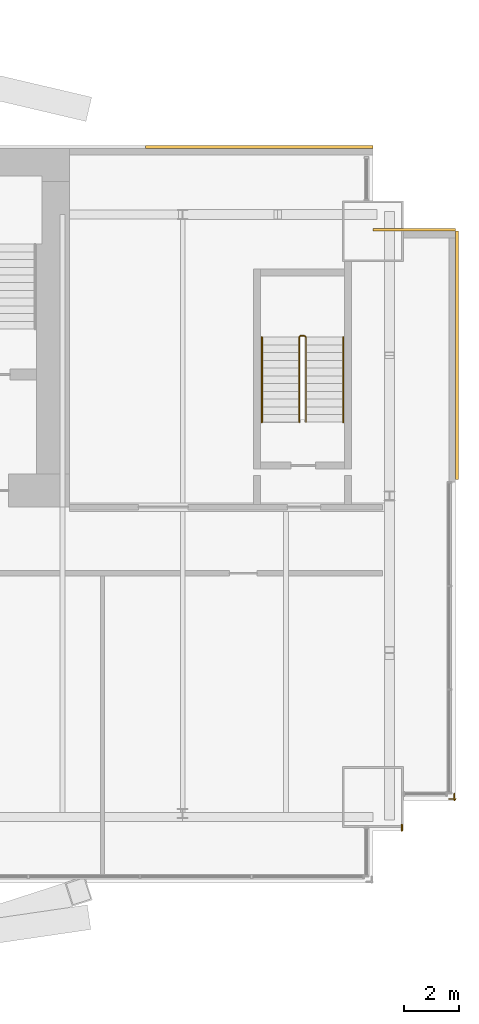
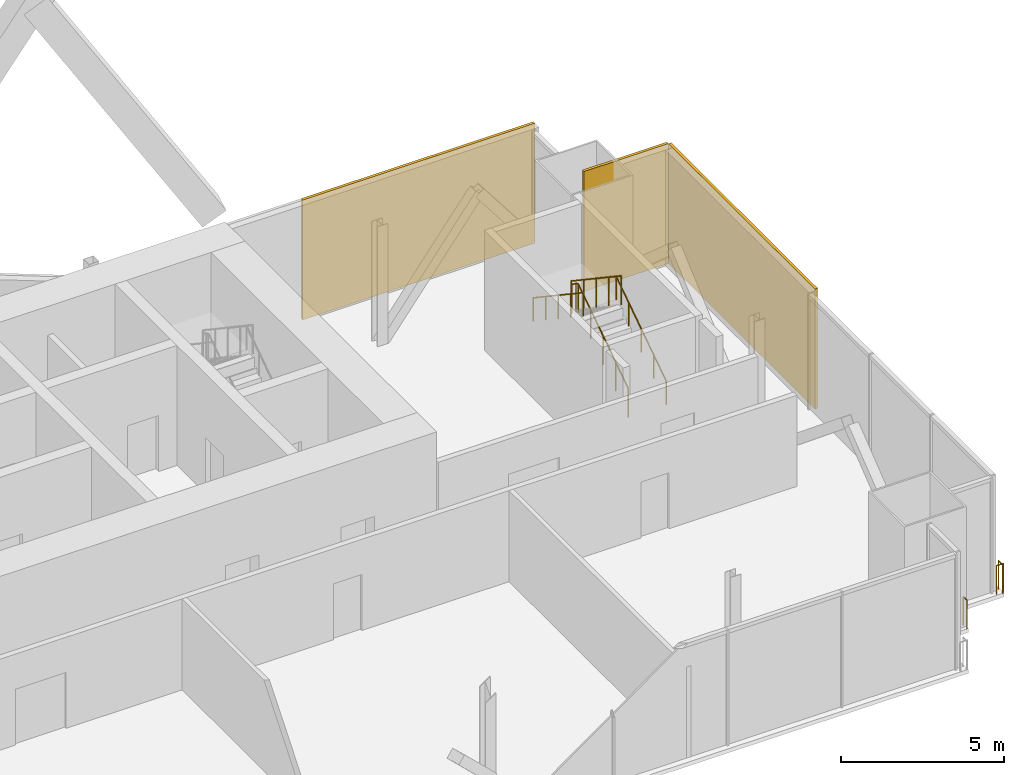
# One storey, part 20 of 20: 5 railings, 3 coverings.
"""IFC4 building model written with IfcOpenShell, lengths in metres."""

from ifc_helpers import new_model, si_unit, direction, frame, origin, origin_2d, place, context, subcontext, project, spatial, rectangle, circle, extrude, material, layer, layer_set, type_object, element, save


model = new_model("IFC4")

# Units and contexts
model_context = context("Model", 3, precision=1e-05, world=origin(), true_north=direction((0.0, 1.0)))
body_context = subcontext(model_context, "Body", "Model", "MODEL_VIEW")
ifc_project = project(units=[si_unit("LENGTHUNIT", "METRE"), si_unit("AREAUNIT", "SQUARE_METRE"), si_unit("VOLUMEUNIT", "CUBIC_METRE"), si_unit("PLANEANGLEUNIT", "RADIAN"), si_unit("MASSUNIT", "GRAM", prefix="KILO")], contexts=[model_context])

# Site, building, storey
site_placement = place(None, origin())
site = spatial("IfcSite", under=ifc_project, at=site_placement, CompositionType="ELEMENT")
building_placement = place(site_placement, origin())
building = spatial("IfcBuilding", under=site, at=building_placement, Name="Bicima Exchange Tower", CompositionType="ELEMENT")
storey_placement = place(building_placement, frame((0.0, 0.0, 306.5)))
storey = spatial("IfcBuildingStorey", under=building, at=storey_placement, Name="L69", CompositionType="ELEMENT", Elevation=306.5)

# Coverings
ifc_material_1 = material(Name="Bronze metal cladding")
ifc_layer_1 = layer(ifc_material_1, 0.004)
ifc_material_2 = material(Name="Ventilated cavity")
ifc_layer_2 = layer(ifc_material_2, 0.06)
ifc_material_3 = material(Name="Galvanised steel rail and mineral wool", Category="steel")
ifc_layer_3 = layer(ifc_material_3, 0.036)
ifc_layer_set = layer_set([ifc_layer_1, ifc_layer_2, ifc_layer_3], Name="Ventilated cavity")
covering_type = type_object("IfcCoveringType", Name="Bronze metal cladding panel 100", PredefinedType="CLADDING", material=ifc_layer_set)
covering_1_placement = place(storey_placement, frame((28.875, 0.050048828125, -0.14990234375), z_axis=(0.0, 0.0, 1.0), x_axis=(-1.0, 0.0, 0.0)))
element("IfcCovering", 1, at=covering_1_placement, inside=storey, type_object=covering_type, Name="Bronze cladding L69 1.1", PredefinedType="CLADDING", context=body_context, shape_type="SweptSolid", body=[
    extrude(rectangle(XDim=8.25, YDim=0.10009765625, at=origin_2d()), origin(), (0.0, 0.0, 1.0), 4.5),
])
covering_2_placement = place(storey_placement, frame((36.050048828125, -7.5, -0.14990234375), z_axis=(0.0, 0.0, 1.0), x_axis=(0.0, 1.0, 0.0)))
element("IfcCovering", 2, at=covering_2_placement, inside=storey, type_object=covering_type, Name="Bronze cladding L69 50.1", PredefinedType="CLADDING", context=body_context, shape_type="SweptSolid", body=[
    extrude(rectangle(XDim=9.0, YDim=0.10009765625, at=origin_2d()), origin(), (0.0, 0.0, 1.0), 4.5),
])
covering_3_placement = place(storey_placement, frame((34.5, -2.949951171875, -0.14990234375), z_axis=(0.0, 0.0, 1.0), x_axis=(-1.0, 0.0, 0.0)))
element("IfcCovering", 3, at=covering_3_placement, inside=storey, type_object=covering_type, Name="Bronze cladding L69 51.1", PredefinedType="CLADDING", context=body_context, shape_type="SweptSolid", body=[
    extrude(rectangle(XDim=3.0, YDim=0.10009765625, at=origin_2d()), origin(), (0.0, 0.0, 1.0), 4.5),
])

# Railings
ifc_material_4 = material(Name="Stainless steel and bonded safety glass", Category="steel")
railing_type_1 = type_object("IfcRailingType", Name="Edge guard 1100", PredefinedType="GUARDRAIL", material=ifc_material_4)
railing_1_placement = place(storey_placement, frame((35.949951171875, -23.37890625, 0.0)))
element("IfcRailing", 4, at=railing_1_placement, inside=storey, type_object=railing_type_1, Name="Edge guard L69 356", PredefinedType="GUARDRAIL", context=body_context, shape_type="SweptSolid", body=[
    extrude(circle(Radius=0.02392578125, at=origin_2d()), frame((0.0, 0.0, 1.076171875), z_axis=(0.0, -1.0, 0.0), x_axis=(1.0, 0.0, 0.0)), (0.0, 0.0, 1.0), 0.2490234375),
    extrude(circle(Radius=0.02392578125, at=origin_2d()), frame((0.0, -0.2490234375, 1.076171875), z_axis=(0.707106781187, 0.707106781187, 0.0), x_axis=(-0.707106781187, 0.707106781187, 0.0)), (0.0, 0.0, 1.0), 0.07080078125),
    extrude(circle(Radius=0.02392578125, at=origin_2d()), frame((0.050048828125, -0.198974609375, 1.076171875), z_axis=(-1.0, 0.0, 0.0), x_axis=(0.0, -1.0, 0.0)), (0.0, 0.0, 1.0), 0.237060546875),
    extrude(circle(Radius=0.02099609375, at=origin_2d()), origin(), (0.0, 0.0, 1.0), 1.052001953125),
    extrude(circle(Radius=0.02099609375, at=origin_2d()), frame((0.0, -0.2490234375, 0.0)), (0.0, 0.0, 1.0), 1.052001953125),
    extrude(circle(Radius=0.02099609375, at=origin_2d()), frame((0.050048828125, -0.198974609375, 0.0)), (0.0, 0.0, 1.0), 1.052001953125),
    extrude(circle(Radius=0.02099609375, at=origin_2d()), frame((-0.18701171875, -0.198974609375, 0.0)), (0.0, 0.0, 1.0), 1.052001953125),
])
railing_2_placement = place(storey_placement, frame((34.050048828125, -24.508056640625, 0.0)))
element("IfcRailing", 5, at=railing_2_placement, inside=storey, type_object=railing_type_1, Name="Edge guard L69 357", PredefinedType="GUARDRAIL", context=body_context, shape_type="SweptSolid", body=[
    extrude(circle(Radius=0.02392578125, at=origin_2d()), frame((0.0, 0.0, 1.076171875), z_axis=(0.0, -1.0, 0.0), x_axis=(1.0, 0.0, 0.0)), (0.0, 0.0, 1.0), 0.219970703125),
    extrude(circle(Radius=0.02099609375, at=origin_2d()), origin(), (0.0, 0.0, 1.0), 1.052001953125),
    extrude(circle(Radius=0.02099609375, at=origin_2d()), frame((0.0, -0.219970703125, 0.0)), (0.0, 0.0, 1.0), 1.052001953125),
])
ifc_material_5 = material(Name="Stainless steel", Category="steel")
railing_type_2 = type_object("IfcRailingType", Name="Stair guard 1100", PredefinedType="GUARDRAIL", material=ifc_material_5)
railing_3_placement = place(storey_placement, frame((30.574951171875, -9.925048828125, 0.1875)))
element("IfcRailing", 6, at=railing_3_placement, inside=storey, type_object=railing_type_2, Name="L69 ST-EE stair guard 1", PredefinedType="GUARDRAIL", context=body_context, shape_type="SweptSolid", body=[
    extrude(circle(Radius=0.02392578125, at=origin_2d()), frame((0.0, 0.0, 1.076171875), z_axis=(0.0, 0.830913701846, 0.55640131208), x_axis=(-1.0, 0.0, 0.0)), (0.0, 0.0, 1.0), 3.706787109375),
    extrude(circle(Radius=0.02392578125, at=origin_2d()), frame((0.0, 3.080078125, 3.138671875), z_axis=(-0.707106781187, 0.707106781187, 0.0), x_axis=(-0.707106781187, -0.707106781187, 0.0)), (0.0, 0.0, 1.0), 0.07080078125),
    extrude(circle(Radius=0.02392578125, at=origin_2d()), frame((-0.050048828125, 3.130126953125, 3.138671875), z_axis=(-1.0, 0.0, 0.0), x_axis=(0.0, -1.0, 0.0)), (0.0, 0.0, 1.0), 0.14990234375),
    extrude(circle(Radius=0.02392578125, at=origin_2d()), frame((-0.199951171875, 3.130126953125, 3.138671875), z_axis=(-0.249726431254, -0.249726431254, 0.935560483917), x_axis=(0.707106781187, -0.707106781187, 0.0)), (0.0, 0.0, 1.0), 0.200439453125),
    extrude(circle(Radius=0.02392578125, at=origin_2d()), frame((-0.25, 3.080078125, 3.326171875), z_axis=(0.0, -0.830913701846, 0.55640131208), x_axis=(1.0, 0.0, 0.0)), (0.0, 0.0, 1.0), 3.706787109375),
    extrude(circle(Radius=0.02099609375, at=origin_2d()), origin(), (0.0, 0.0, 1.0), 1.052001953125),
    extrude(circle(Radius=0.02099609375, at=origin_2d()), frame((0.0, 0.77001953125, 0.515625)), (0.0, 0.0, 1.0), 1.052001953125),
    extrude(circle(Radius=0.02099609375, at=origin_2d()), frame((0.0, 1.5400390625, 1.03125)), (0.0, 0.0, 1.0), 1.052001953125),
    extrude(circle(Radius=0.02099609375, at=origin_2d()), frame((0.0, 2.31005859375, 1.546875)), (0.0, 0.0, 1.0), 1.052001953125),
    extrude(circle(Radius=0.02099609375, at=origin_2d()), frame((0.0, 3.080078125, 2.0625)), (0.0, 0.0, 1.0), 1.052001953125),
    extrude(circle(Radius=0.02099609375, at=origin_2d()), frame((-0.050048828125, 3.130126953125, 2.0625)), (0.0, 0.0, 1.0), 1.052001953125),
    extrude(circle(Radius=0.02099609375, at=origin_2d()), frame((-0.199951171875, 3.130126953125, 2.0625)), (0.0, 0.0, 1.0), 1.052001953125),
    extrude(circle(Radius=0.02099609375, at=origin_2d()), frame((-0.25, 3.080078125, 2.25)), (0.0, 0.0, 1.0), 1.052001953125),
    extrude(circle(Radius=0.02099609375, at=origin_2d()), frame((-0.25, 2.31005859375, 2.765625)), (0.0, 0.0, 1.0), 1.052001953125),
    extrude(circle(Radius=0.02099609375, at=origin_2d()), frame((-0.25, 1.5400390625, 3.28125)), (0.0, 0.0, 1.0), 1.052001953125),
    extrude(circle(Radius=0.02099609375, at=origin_2d()), frame((-0.25, 0.77001953125, 3.796875)), (0.0, 0.0, 1.0), 1.052001953125),
    extrude(circle(Radius=0.02099609375, at=origin_2d()), frame((-0.25, 0.0, 4.3125)), (0.0, 0.0, 1.0), 1.052001953125),
])
railing_type_3 = type_object("IfcRailingType", Name="Stair handrail 900", PredefinedType="HANDRAIL", material=ifc_material_5)
railing_4_placement = place(storey_placement, frame((31.925048828125, -9.925048828125, 0.1875)))
element("IfcRailing", 7, at=railing_4_placement, inside=storey, type_object=railing_type_3, Name="L69 ST-EE stair handrail 1", PredefinedType="HANDRAIL", context=body_context, shape_type="SweptSolid", body=[
    extrude(circle(Radius=0.02392578125, at=origin_2d()), frame((0.0, 0.0, 0.8759765625), z_axis=(0.0, 0.830913701846, 0.55640131208), x_axis=(-1.0, 0.0, 0.0)), (0.0, 0.0, 1.0), 3.706787109375),
    extrude(circle(Radius=0.02099609375, at=origin_2d()), origin(), (0.0, 0.0, 1.0), 0.851806640625),
    extrude(circle(Radius=0.02099609375, at=origin_2d()), frame((0.0, 0.77001953125, 0.515625)), (0.0, 0.0, 1.0), 0.851806640625),
    extrude(circle(Radius=0.02099609375, at=origin_2d()), frame((0.0, 1.5400390625, 1.03125)), (0.0, 0.0, 1.0), 0.851806640625),
    extrude(circle(Radius=0.02099609375, at=origin_2d()), frame((0.0, 2.31005859375, 1.546875)), (0.0, 0.0, 1.0), 0.851806640625),
    extrude(circle(Radius=0.02099609375, at=origin_2d()), frame((0.0, 3.080078125, 2.0625)), (0.0, 0.0, 1.0), 0.851806640625),
])
railing_5_placement = place(storey_placement, frame((28.97509765625, -6.844970703125, 2.47900390625)))
element("IfcRailing", 8, at=railing_5_placement, inside=storey, type_object=railing_type_3, Name="L69 ST-EE stair handrail 2", PredefinedType="HANDRAIL", context=body_context, shape_type="SweptSolid", body=[
    extrude(circle(Radius=0.02392578125, at=origin_2d()), frame((0.0, 0.0, 0.8759765625), z_axis=(0.0, -0.830913701846, 0.55640131208), x_axis=(1.0, 0.0, 0.0)), (0.0, 0.0, 1.0), 3.706787109375),
    extrude(circle(Radius=0.02099609375, at=origin_2d()), origin(), (0.0, 0.0, 1.0), 0.851806640625),
    extrude(circle(Radius=0.02099609375, at=origin_2d()), frame((0.0, -0.77001953125, 0.515625)), (0.0, 0.0, 1.0), 0.851806640625),
    extrude(circle(Radius=0.02099609375, at=origin_2d()), frame((0.0, -1.5400390625, 1.03125)), (0.0, 0.0, 1.0), 0.851806640625),
    extrude(circle(Radius=0.02099609375, at=origin_2d()), frame((0.0, -2.31005859375, 1.546875)), (0.0, 0.0, 1.0), 0.851806640625),
    extrude(circle(Radius=0.02099609375, at=origin_2d()), frame((0.0, -3.080078125, 2.0625)), (0.0, 0.0, 1.0), 0.851806640625),
])

save(model, "model.ifc")
